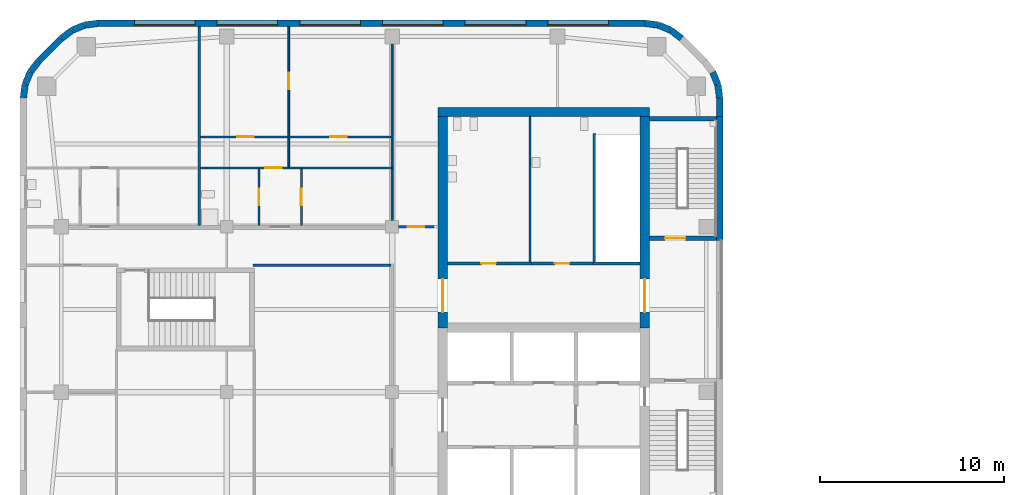
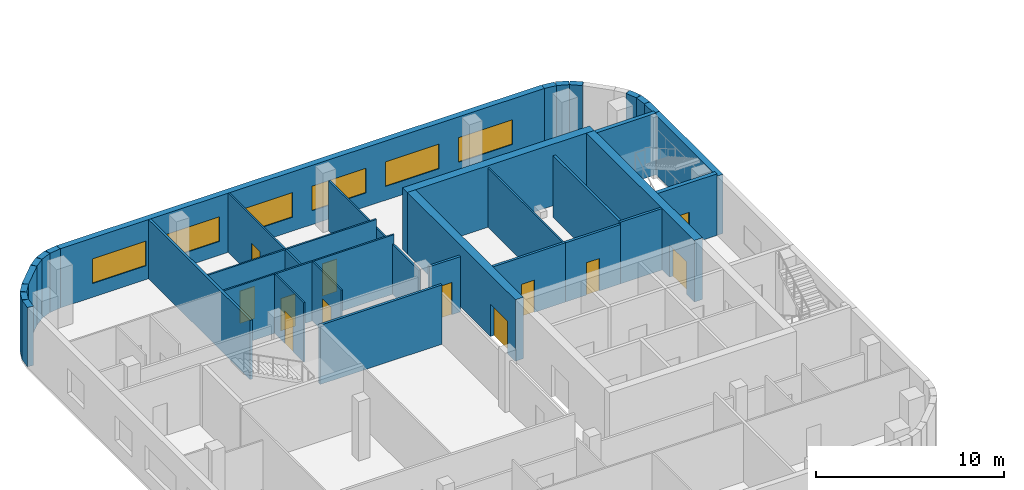
# One storey, part 7 of 16: 36 walls, 12 doors, 6 windows, 18 openings.
"""IFC4 building model written with IfcOpenShell, lengths in metres."""

from ifc_helpers import new_model, si_unit, direction, frame, frame_2d, origin, place, context, subcontext, project, spatial, rectangle, extrude, material, layer, layer_set, type_object, element, fill, save


model = new_model("IFC4")

# Units and contexts
model_context = context("Model", 3, precision=1e-05, world=origin(), true_north=direction((0.0, 1.0)))
body_context = subcontext(model_context, "Body", "Model", "MODEL_VIEW")
ifc_project = project(units=[si_unit("LENGTHUNIT", "METRE"), si_unit("AREAUNIT", "SQUARE_METRE"), si_unit("VOLUMEUNIT", "CUBIC_METRE"), si_unit("PLANEANGLEUNIT", "RADIAN"), si_unit("MASSUNIT", "GRAM", prefix="KILO")], contexts=[model_context])

# Site, building, storey
site_placement = place(None, origin())
site = spatial("IfcSite", under=ifc_project, at=site_placement, CompositionType="ELEMENT")
building_placement = place(site_placement, origin())
building = spatial("IfcBuilding", under=site, at=building_placement, Name="Cinnabar Reach Civic Tower", CompositionType="ELEMENT")
storey_placement = place(building_placement, frame((0.0, 0.0, 79.0)))
storey = spatial("IfcBuildingStorey", under=building, at=storey_placement, Name="L18", CompositionType="ELEMENT", Elevation=79.0)

# Walls
ifc_material_1 = material(Name="Facing brick with insulated backing", Category="masonry")
ifc_layer_1 = layer(ifc_material_1, 0.36)
ifc_layer_set_1 = layer_set([ifc_layer_1], Name="Brick corner wall")
wall_type_1 = type_object("IfcWallType", Name="Brick corner wall", PredefinedType="STANDARD", material=ifc_layer_set_1)
for number, where, z_axis, x_axis, name in (
    (1, (-27.183, 43.0186, 0.0), (0.0, 0.0, 1.0), (-0.13055608231, 0.99144092581, 0.0), "Brick corner wall"),
    (2, (-27.2819, 43.7473, 0.0), (0.0, 0.0, 1.0), (-0.382702709855, 0.923871547278, 0.0), "Brick corner wall"),
):
    element("IfcWall", number, at=place(storey_placement, frame(where, z_axis=z_axis, x_axis=x_axis)), inside=storey, type_object=wall_type_1, Name=name, PredefinedType="STANDARD", context=body_context, shape_type="SweptSolid", body=[
        extrude(rectangle(XDim=0.7131, YDim=0.36, at=frame_2d((0.3565, 0.0))), origin(), (0.0, 0.0, 1.0), 3.85),
    ])
wall_1_placement = place(storey_placement, frame((-29.2587, 46.2498, 0.0), z_axis=(0.0, 0.0, 1.0), x_axis=(-0.793321924995, 0.608802368033, 0.0)))
element("IfcWall", 3, at=wall_1_placement, inside=storey, type_object=wall_type_1, Name="Brick corner wall", PredefinedType="STANDARD", context=body_context, shape_type="SweptSolid", body=[
    extrude(rectangle(XDim=0.7132, YDim=0.36, at=frame_2d((0.3566, 0.0))), origin(), (0.0, 0.0, 1.0), 3.85),
])
for number, where, z_axis, x_axis, name in (
    (4, (-29.8439, 46.6952, 0.0), (0.0, 0.0, 1.0), (-0.923871547278, 0.382702709855, 0.0), "Brick corner wall"),
    (5, (-30.5244, 46.9739, 0.0), (0.0, 0.0, 1.0), (-0.99144092581, 0.13055608231, 0.0), "Brick corner wall"),
    (6, (-61.0186, 47.067, 0.0), (0.0, 0.0, 1.0), (-0.99144092581, -0.13055608231, 0.0), "Brick corner wall"),
    (7, (-61.7473, 46.9681, 0.0), (0.0, 0.0, 1.0), (-0.923871547278, -0.382702709855, 0.0), "Brick corner wall"),
):
    element("IfcWall", number, at=place(storey_placement, frame(where, z_axis=z_axis, x_axis=x_axis)), inside=storey, type_object=wall_type_1, Name=name, PredefinedType="STANDARD", context=body_context, shape_type="SweptSolid", body=[
        extrude(rectangle(XDim=0.7131, YDim=0.36, at=frame_2d((0.3565, 0.0))), origin(), (0.0, 0.0, 1.0), 3.85),
    ])
for number, where, z_axis, x_axis, name in (
    (8, (-62.4255, 46.684, 0.0), (0.0, 0.0, 1.0), (-0.793321924995, -0.608802368033, 0.0), "Brick corner wall"),
    (9, (-64.2498, 44.9913, 0.0), (0.0, 0.0, 1.0), (-0.608802368033, -0.793321924995, 0.0), "Brick corner wall"),
):
    element("IfcWall", number, at=place(storey_placement, frame(where, z_axis=z_axis, x_axis=x_axis)), inside=storey, type_object=wall_type_1, Name=name, PredefinedType="STANDARD", context=body_context, shape_type="SweptSolid", body=[
        extrude(rectangle(XDim=0.7132, YDim=0.36, at=frame_2d((0.3566, 0.0))), origin(), (0.0, 0.0, 1.0), 3.85),
    ])
for number, where, z_axis, x_axis, name in (
    (10, (-64.6952, 44.4061, 0.0), (0.0, 0.0, 1.0), (-0.382702709855, -0.923871547278, 0.0), "Brick corner wall"),
    (11, (-64.9739, 43.7256, 0.0), (0.0, 0.0, 1.0), (-0.13055608231, -0.99144092581, 0.0), "Brick corner wall"),
):
    element("IfcWall", number, at=place(storey_placement, frame(where, z_axis=z_axis, x_axis=x_axis)), inside=storey, type_object=wall_type_1, Name=name, PredefinedType="STANDARD", context=body_context, shape_type="SweptSolid", body=[
        extrude(rectangle(XDim=0.7131, YDim=0.36, at=frame_2d((0.3565, 0.0))), origin(), (0.0, 0.0, 1.0), 3.85),
    ])
ifc_layer_2 = layer(ifc_material_1, 0.36)
ifc_layer_set_2 = layer_set([ifc_layer_2], Name="Brick pier and spandrel wall")
wall_type_2 = type_object("IfcWallType", Name="Brick pier and spandrel wall", PredefinedType="STANDARD", material=ifc_layer_set_2)
wall_2_placement = place(storey_placement, frame((-27.18, 35.25, 0.0), z_axis=(0.0, 0.0, 1.0), x_axis=(0.0, 1.0, 0.0)))
element("IfcWall", 12, at=wall_2_placement, inside=storey, type_object=wall_type_2, Name="Brick facade wall", PredefinedType="STANDARD", context=body_context, shape_type="SweptSolid", body=[
    extrude(rectangle(XDim=6.75, YDim=0.36, at=frame_2d((3.375, 0.0))), origin(), (0.0, 0.0, 1.0), 3.85),
])
wall_3_placement = place(storey_placement, frame((-27.18, 42.0, 0.0), z_axis=(0.0, 0.0, 1.0), x_axis=(0.0, 1.0, 0.0)))
element("IfcWall", 13, at=wall_3_placement, inside=storey, type_object=wall_type_2, Name="Brick facade wall", PredefinedType="STANDARD", context=body_context, shape_type="SweptSolid", body=[
    extrude(rectangle(XDim=1.0074, YDim=0.36, at=frame_2d((0.5037, 0.0))), origin(), (0.0, 0.0, 1.0), 3.85),
])

# Wall, openings, windows
wall_4_placement = place(storey_placement, frame((-31.2426, 47.07, 0.0), z_axis=(0.0, 0.0, 1.0), x_axis=(-1.0, 0.0, 0.0)))
wall_4 = element("IfcWall", 14, at=wall_4_placement, inside=storey, type_object=wall_type_2, Name="Brick facade wall", PredefinedType="STANDARD", context=body_context, shape_type="SweptSolid", body=[
    extrude(rectangle(XDim=29.7648, YDim=0.36, at=frame_2d((14.8824, 0.0))), origin(), (0.0, 0.0, 1.0), 3.85),
])
opening_1_placement = place(wall_4_placement, frame((1.9824, 0.0, 0.9)))
opening_1 = element("IfcOpeningElement", 15, at=opening_1_placement, cuts=wall_4, Name="Opening W2592", PredefinedType="OPENING", context=body_context, shape_type="SweptSolid", body=[
    extrude(rectangle(XDim=3.3, YDim=1.6, at=frame_2d((1.65, 0.8))), frame((0.0, 0.19, 0.0), z_axis=(0.0, -1.0, 0.0), x_axis=(1.0, 0.0, 0.0)), (0.0, 0.0, 1.0), 0.38),
])
opening_2_placement = place(wall_4_placement, frame((6.4824, 0.0, 0.9)))
opening_2 = element("IfcOpeningElement", 16, at=opening_2_placement, cuts=wall_4, Name="Opening W2593", PredefinedType="OPENING", context=body_context, shape_type="SweptSolid", body=[
    extrude(rectangle(XDim=3.3, YDim=1.6, at=frame_2d((1.65, 0.8))), frame((0.0, 0.19, 0.0), z_axis=(0.0, -1.0, 0.0), x_axis=(1.0, 0.0, 0.0)), (0.0, 0.0, 1.0), 0.38),
])
opening_3_placement = place(wall_4_placement, frame((10.9824, 0.0, 0.9)))
opening_3 = element("IfcOpeningElement", 17, at=opening_3_placement, cuts=wall_4, Name="Opening W2594", PredefinedType="OPENING", context=body_context, shape_type="SweptSolid", body=[
    extrude(rectangle(XDim=3.3, YDim=1.6, at=frame_2d((1.65, 0.8))), frame((0.0, 0.19, 0.0), z_axis=(0.0, -1.0, 0.0), x_axis=(1.0, 0.0, 0.0)), (0.0, 0.0, 1.0), 0.38),
])
opening_4_placement = place(wall_4_placement, frame((15.4824, 0.0, 0.9)))
opening_4 = element("IfcOpeningElement", 18, at=opening_4_placement, cuts=wall_4, Name="Opening W2595", PredefinedType="OPENING", context=body_context, shape_type="SweptSolid", body=[
    extrude(rectangle(XDim=3.3, YDim=1.6, at=frame_2d((1.65, 0.8))), frame((0.0, 0.19, 0.0), z_axis=(0.0, -1.0, 0.0), x_axis=(1.0, 0.0, 0.0)), (0.0, 0.0, 1.0), 0.38),
])
opening_5_placement = place(wall_4_placement, frame((19.9824, 0.0, 0.9)))
opening_5 = element("IfcOpeningElement", 19, at=opening_5_placement, cuts=wall_4, Name="Opening W2596", PredefinedType="OPENING", context=body_context, shape_type="SweptSolid", body=[
    extrude(rectangle(XDim=3.3, YDim=1.6, at=frame_2d((1.65, 0.8))), frame((0.0, 0.19, 0.0), z_axis=(0.0, -1.0, 0.0), x_axis=(1.0, 0.0, 0.0)), (0.0, 0.0, 1.0), 0.38),
])
opening_6_placement = place(wall_4_placement, frame((24.4824, 0.0, 0.9)))
opening_6 = element("IfcOpeningElement", 20, at=opening_6_placement, cuts=wall_4, Name="Opening W2597", PredefinedType="OPENING", context=body_context, shape_type="SweptSolid", body=[
    extrude(rectangle(XDim=3.3, YDim=1.6, at=frame_2d((1.65, 0.8))), frame((0.0, 0.19, 0.0), z_axis=(0.0, -1.0, 0.0), x_axis=(1.0, 0.0, 0.0)), (0.0, 0.0, 1.0), 0.38),
])
ifc_material_2 = material(Name="Clear double glazing in aluminium frame", Category="aluminium")
window_type = type_object("IfcWindowType", Name="Deep-set window A", PartitioningType="SINGLE_PANEL", PredefinedType="WINDOW", material=ifc_material_2)
window_1_placement = place(opening_1_placement, origin())
window_1 = element("IfcWindow", 21, at=window_1_placement, inside=storey, type_object=window_type, Name="Window north face", OverallHeight=1.6, OverallWidth=3.3, PartitioningType="SINGLE_PANEL", PredefinedType="WINDOW", context=body_context, shape_type="SweptSolid", body=[
    extrude(rectangle(XDim=3.3, YDim=1.6, at=frame_2d((1.65, 0.8))), frame((0.0, 0.13, 0.0), z_axis=(0.0, -1.0, 0.0), x_axis=(1.0, 0.0, 0.0)), (0.0, 0.0, 1.0), 0.06),
])
fill(opening_1, window_1)
window_2_placement = place(opening_2_placement, origin())
window_2 = element("IfcWindow", 22, at=window_2_placement, inside=storey, type_object=window_type, Name="Window north face", OverallHeight=1.6, OverallWidth=3.3, PartitioningType="SINGLE_PANEL", PredefinedType="WINDOW", context=body_context, shape_type="SweptSolid", body=[
    extrude(rectangle(XDim=3.3, YDim=1.6, at=frame_2d((1.65, 0.8))), frame((0.0, 0.13, 0.0), z_axis=(0.0, -1.0, 0.0), x_axis=(1.0, 0.0, 0.0)), (0.0, 0.0, 1.0), 0.06),
])
fill(opening_2, window_2)
window_3_placement = place(opening_3_placement, origin())
window_3 = element("IfcWindow", 23, at=window_3_placement, inside=storey, type_object=window_type, Name="Window north face", OverallHeight=1.6, OverallWidth=3.3, PartitioningType="SINGLE_PANEL", PredefinedType="WINDOW", context=body_context, shape_type="SweptSolid", body=[
    extrude(rectangle(XDim=3.3, YDim=1.6, at=frame_2d((1.65, 0.8))), frame((0.0, 0.13, 0.0), z_axis=(0.0, -1.0, 0.0), x_axis=(1.0, 0.0, 0.0)), (0.0, 0.0, 1.0), 0.06),
])
fill(opening_3, window_3)
window_4_placement = place(opening_4_placement, origin())
window_4 = element("IfcWindow", 24, at=window_4_placement, inside=storey, type_object=window_type, Name="Window north face", OverallHeight=1.6, OverallWidth=3.3, PartitioningType="SINGLE_PANEL", PredefinedType="WINDOW", context=body_context, shape_type="SweptSolid", body=[
    extrude(rectangle(XDim=3.3, YDim=1.6, at=frame_2d((1.65, 0.8))), frame((0.0, 0.13, 0.0), z_axis=(0.0, -1.0, 0.0), x_axis=(1.0, 0.0, 0.0)), (0.0, 0.0, 1.0), 0.06),
])
fill(opening_4, window_4)
window_5_placement = place(opening_5_placement, origin())
window_5 = element("IfcWindow", 25, at=window_5_placement, inside=storey, type_object=window_type, Name="Window north face", OverallHeight=1.6, OverallWidth=3.3, PartitioningType="SINGLE_PANEL", PredefinedType="WINDOW", context=body_context, shape_type="SweptSolid", body=[
    extrude(rectangle(XDim=3.3, YDim=1.6, at=frame_2d((1.65, 0.8))), frame((0.0, 0.13, 0.0), z_axis=(0.0, -1.0, 0.0), x_axis=(1.0, 0.0, 0.0)), (0.0, 0.0, 1.0), 0.06),
])
fill(opening_5, window_5)
window_6_placement = place(opening_6_placement, origin())
window_6 = element("IfcWindow", 26, at=window_6_placement, inside=storey, type_object=window_type, Name="Window north face", OverallHeight=1.6, OverallWidth=3.3, PartitioningType="SINGLE_PANEL", PredefinedType="WINDOW", context=body_context, shape_type="SweptSolid", body=[
    extrude(rectangle(XDim=3.3, YDim=1.6, at=frame_2d((1.65, 0.8))), frame((0.0, 0.13, 0.0), z_axis=(0.0, -1.0, 0.0), x_axis=(1.0, 0.0, 0.0)), (0.0, 0.0, 1.0), 0.06),
])
fill(opening_6, window_6)

# Walls
wall_5_placement = place(storey_placement, frame((-63.0014, 46.244, 0.0), z_axis=(0.0, 0.0, 1.0), x_axis=(-0.707106781187, -0.707106781187, 0.0)))
element("IfcWall", 27, at=wall_5_placement, inside=storey, type_object=wall_type_2, Name="Brick facade wall", PredefinedType="STANDARD", context=body_context, shape_type="SweptSolid", body=[
    extrude(rectangle(XDim=1.7573, YDim=0.36, at=frame_2d((0.8787, 0.0))), origin(), (0.0, 0.0, 1.0), 3.85),
])
ifc_material_3 = material(Name="Concrete C60", Category="concrete")
ifc_layer_3 = layer(ifc_material_3, 0.5)
ifc_layer_set_3 = layer_set([ifc_layer_3], Name="Core wall 500 EI 180")
wall_type_3 = type_object("IfcWallType", Name="Core wall 500 EI 180", PredefinedType="SOLIDWALL", material=ifc_layer_set_3)
wall_6_placement = place(storey_placement, frame((-31.0, 42.25, 0.0), z_axis=(0.0, 0.0, 1.0), x_axis=(-1.0, 0.0, 0.0)))
element("IfcWall", 28, at=wall_6_placement, inside=storey, type_object=wall_type_3, Name="Core wall T2 L18 N", PredefinedType="SOLIDWALL", context=body_context, shape_type="SweptSolid", body=[
    extrude(rectangle(XDim=11.5, YDim=0.5, at=frame_2d((5.75, 0.0))), origin(), (0.0, 0.0, 1.0), 4.0),
])

# Wall, opening, door
wall_7_placement = place(storey_placement, frame((-31.25, 30.5, 0.0), z_axis=(0.0, 0.0, 1.0), x_axis=(0.0, 1.0, 0.0)))
wall_7 = element("IfcWall", 29, at=wall_7_placement, inside=storey, type_object=wall_type_3, Name="Core wall T2 L18 E2", PredefinedType="SOLIDWALL", context=body_context, shape_type="SweptSolid", body=[
    extrude(rectangle(XDim=11.5, YDim=0.5, at=frame_2d((5.75, 0.0))), origin(), (0.0, 0.0, 1.0), 4.0),
])
opening_7_placement = place(wall_7_placement, frame((0.85, 0.0, 0.0)))
opening_7 = element("IfcOpeningElement", 30, at=opening_7_placement, cuts=wall_7, Name="Opening D6675", PredefinedType="OPENING", context=body_context, shape_type="SweptSolid", body=[
    extrude(rectangle(XDim=1.8, YDim=2.1, at=frame_2d((0.9, 1.05))), frame((0.0, 0.26, 0.0), z_axis=(0.0, -1.0, 0.0), x_axis=(1.0, 0.0, 0.0)), (0.0, 0.0, 1.0), 0.52),
])
ifc_material_4 = material(Name="Steel fire door", Category="steel")
door_type_1 = type_object("IfcDoorType", Name="T2 Double door 1800", OperationType="DOUBLE_DOOR_SINGLE_SWING", PredefinedType="DOOR", material=ifc_material_4)
door_1_placement = place(opening_7_placement, origin())
door_1 = element("IfcDoor", 31, at=door_1_placement, inside=storey, type_object=door_type_1, Name="T2 Double door D6675", OperationType="DOUBLE_DOOR_SINGLE_SWING", OverallHeight=2.1, OverallWidth=1.8, PredefinedType="DOOR", context=body_context, shape_type="SweptSolid", body=[
    extrude(rectangle(XDim=1.8, YDim=2.1, at=frame_2d((0.9, 1.05))), frame((0.0, 0.025, 0.0), z_axis=(0.0, -1.0, 0.0), x_axis=(1.0, 0.0, 0.0)), (0.0, 0.0, 1.0), 0.05),
])
fill(opening_7, door_1)

wall_8_placement = place(storey_placement, frame((-42.25, 42.0, 0.0), z_axis=(0.0, 0.0, 1.0), x_axis=(0.0, -1.0, 0.0)))
wall_8 = element("IfcWall", 32, at=wall_8_placement, inside=storey, type_object=wall_type_3, Name="Core wall T2 L18 W", PredefinedType="SOLIDWALL", context=body_context, shape_type="SweptSolid", body=[
    extrude(rectangle(XDim=11.5, YDim=0.5, at=frame_2d((5.75, 0.0))), origin(), (0.0, 0.0, 1.0), 4.0),
])
opening_8_placement = place(wall_8_placement, frame((8.85, 0.0, 0.0)))
opening_8 = element("IfcOpeningElement", 33, at=opening_8_placement, cuts=wall_8, Name="Opening D6677", PredefinedType="OPENING", context=body_context, shape_type="SweptSolid", body=[
    extrude(rectangle(XDim=1.8, YDim=2.1, at=frame_2d((0.9, 1.05))), frame((0.0, 0.26, 0.0), z_axis=(0.0, -1.0, 0.0), x_axis=(1.0, 0.0, 0.0)), (0.0, 0.0, 1.0), 0.52),
])
door_2_placement = place(opening_8_placement, frame((1.8, 0.0, 0.0), z_axis=(0.0, 0.0, 1.0), x_axis=(-1.0, 0.0, 0.0)))
door_2 = element("IfcDoor", 34, at=door_2_placement, inside=storey, type_object=door_type_1, Name="T2 Double door D6677", OperationType="DOUBLE_DOOR_SINGLE_SWING", OverallHeight=2.1, OverallWidth=1.8, PredefinedType="DOOR", context=body_context, shape_type="SweptSolid", body=[
    extrude(rectangle(XDim=1.8, YDim=2.1, at=frame_2d((0.9, 1.05))), frame((0.0, 0.025, 0.0), z_axis=(0.0, -1.0, 0.0), x_axis=(1.0, 0.0, 0.0)), (0.0, 0.0, 1.0), 0.05),
])
fill(opening_8, door_2)

ifc_material_5 = material(Name="Gypsum board on steel studs, double layer", Category="steel")
ifc_layer_4 = layer(ifc_material_5, 0.15)
ifc_layer_set_4 = layer_set([ifc_layer_4], Name="Corridor wall 150 T2")
wall_type_4 = type_object("IfcWallType", Name="Corridor wall 150 T2", PredefinedType="PARTITIONING", material=ifc_layer_set_4)
wall_9_placement = place(storey_placement, frame((-44.65, 36.0, 0.0), z_axis=(0.0, 0.0, 1.0), x_axis=(1.0, 0.0, 0.0)))
wall_9 = element("IfcWall", 35, at=wall_9_placement, inside=storey, type_object=wall_type_4, Name="Corridor wall 5", PredefinedType="PARTITIONING", context=body_context, shape_type="SweptSolid", body=[
    extrude(rectangle(XDim=1.925, YDim=0.15, at=frame_2d((0.9625, 0.0))), origin(), (0.0, 0.0, 1.0), 3.602),
])
opening_9_placement = place(wall_9_placement, frame((0.5, 0.0, 0.0)))
opening_9 = element("IfcOpeningElement", 36, at=opening_9_placement, cuts=wall_9, Name="Opening D6680", PredefinedType="OPENING", context=body_context, shape_type="SweptSolid", body=[
    extrude(rectangle(XDim=0.9, YDim=2.1, at=frame_2d((0.45, 1.05))), frame((0.0, 0.085, 0.0), z_axis=(0.0, -1.0, 0.0), x_axis=(1.0, 0.0, 0.0)), (0.0, 0.0, 1.0), 0.17),
])
ifc_material_6 = material(Name="Timber door leaf in steel frame", Category="steel")
door_type_2 = type_object("IfcDoorType", Name="Single swing door 900 x 2100 T2", OperationType="SINGLE_SWING_LEFT", PredefinedType="DOOR", material=ifc_material_6)
door_3_placement = place(opening_9_placement, origin())
door_3 = element("IfcDoor", 37, at=door_3_placement, inside=storey, type_object=door_type_2, Name="Door D6680", OperationType="SINGLE_SWING_LEFT", OverallHeight=2.1, OverallWidth=0.9, PredefinedType="DOOR", context=body_context, shape_type="SweptSolid", body=[
    extrude(rectangle(XDim=0.9, YDim=2.1, at=frame_2d((0.45, 1.05))), frame((0.0, 0.025, 0.0), z_axis=(0.0, -1.0, 0.0), x_axis=(1.0, 0.0, 0.0)), (0.0, 0.0, 1.0), 0.05),
])
fill(opening_9, door_3)

# Wall
wall_10_placement = place(storey_placement, frame((-52.575, 33.9, 0.0), z_axis=(0.0, 0.0, 1.0), x_axis=(1.0, 0.0, 0.0)))
element("IfcWall", 38, at=wall_10_placement, inside=storey, type_object=wall_type_4, Name="Corridor wall 12", PredefinedType="PARTITIONING", context=body_context, shape_type="SweptSolid", body=[
    extrude(rectangle(XDim=7.5, YDim=0.15, at=frame_2d((3.75, 0.0))), origin(), (0.0, 0.0, 1.0), 3.85),
])

# Wall, opening, door
ifc_material_7 = material(Name="Gypsum board on steel studs", Category="steel")
ifc_layer_5 = layer(ifc_material_7, 0.1)
ifc_layer_set_5 = layer_set([ifc_layer_5], Name="Partition wall 100 T2")
wall_type_5 = type_object("IfcWallType", Name="Partition wall 100 T2", PredefinedType="PARTITIONING", material=ifc_layer_set_5)
wall_11_placement = place(storey_placement, frame((-55.425, 39.2, 0.0), z_axis=(0.0, 0.0, 1.0), x_axis=(1.0, 0.0, 0.0)))
wall_11 = element("IfcWall", 39, at=wall_11_placement, inside=storey, type_object=wall_type_5, Name="Partition wall 18", PredefinedType="PARTITIONING", context=body_context, shape_type="SweptSolid", body=[
    extrude(rectangle(XDim=10.475, YDim=0.1, at=frame_2d((5.2375, 0.0))), origin(), (0.0, 0.0, 1.0), 3.85),
])
opening_10_placement = place(wall_11_placement, frame((3.53, 0.0, 0.0)))
opening_10 = element("IfcOpeningElement", 40, at=opening_10_placement, cuts=wall_11, Name="Opening D6697", PredefinedType="OPENING", context=body_context, shape_type="SweptSolid", body=[
    extrude(rectangle(XDim=0.9, YDim=2.1, at=frame_2d((0.45, 1.05))), frame((0.0, 0.06, 0.0), z_axis=(0.0, -1.0, 0.0), x_axis=(1.0, 0.0, 0.0)), (0.0, 0.0, 1.0), 0.12),
])
door_4_placement = place(opening_10_placement, frame((0.9, 0.0, 0.0), z_axis=(0.0, 0.0, 1.0), x_axis=(-1.0, 0.0, 0.0)))
door_4 = element("IfcDoor", 41, at=door_4_placement, inside=storey, type_object=door_type_2, Name="Door D6697", OperationType="SINGLE_SWING_RIGHT", OverallHeight=2.1, OverallWidth=0.9, PredefinedType="DOOR", context=body_context, shape_type="SweptSolid", body=[
    extrude(rectangle(XDim=0.9, YDim=2.1, at=frame_2d((0.45, 1.05))), frame((0.0, 0.025, 0.0), z_axis=(0.0, -1.0, 0.0), x_axis=(1.0, 0.0, 0.0)), (0.0, 0.0, 1.0), 0.05),
])
fill(opening_10, door_4)

# Walls
wall_12_placement = place(storey_placement, frame((-45.0, 39.25, 0.0), z_axis=(0.0, 0.0, 1.0), x_axis=(0.0, 1.0, 0.0)))
element("IfcWall", 42, at=wall_12_placement, inside=storey, type_object=wall_type_5, Name="Partition wall 20", PredefinedType="PARTITIONING", context=body_context, shape_type="SweptSolid", body=[
    extrude(rectangle(XDim=6.7, YDim=0.1, at=frame_2d((3.35, 0.0))), origin(), (0.0, 0.0, 1.0), 3.256),
])
wall_13_placement = place(storey_placement, frame((-45.0, 36.35, 0.0), z_axis=(0.0, 0.0, 1.0), x_axis=(0.0, 1.0, 0.0)))
element("IfcWall", 43, at=wall_13_placement, inside=storey, type_object=wall_type_5, Name="Partition wall 21", PredefinedType="PARTITIONING", context=body_context, shape_type="SweptSolid", body=[
    extrude(rectangle(XDim=2.8, YDim=0.1, at=frame_2d((1.4, 0.0))), origin(), (0.0, 0.0, 1.0), 3.256),
])

# Wall, openings, doors
wall_14_placement = place(storey_placement, frame((-55.425, 40.8865, 0.0), z_axis=(0.0, 0.0, 1.0), x_axis=(1.0, 0.0, 0.0)))
wall_14 = element("IfcWall", 44, at=wall_14_placement, inside=storey, type_object=wall_type_5, Name="Partition wall 22", PredefinedType="PARTITIONING", context=body_context, shape_type="SweptSolid", body=[
    extrude(rectangle(XDim=10.375, YDim=0.1, at=frame_2d((5.1875, 0.0))), origin(), (0.0, 0.0, 1.0), 3.85),
])
opening_11_placement = place(wall_14_placement, frame((2.0, 0.0, 0.0)))
opening_11 = element("IfcOpeningElement", 45, at=opening_11_placement, cuts=wall_14, Name="Opening D6699", PredefinedType="OPENING", context=body_context, shape_type="SweptSolid", body=[
    extrude(rectangle(XDim=0.9, YDim=2.1, at=frame_2d((0.45, 1.05))), frame((0.0, 0.06, 0.0), z_axis=(0.0, -1.0, 0.0), x_axis=(1.0, 0.0, 0.0)), (0.0, 0.0, 1.0), 0.12),
])
opening_12_placement = place(wall_14_placement, frame((7.045, 0.0, 0.0)))
opening_12 = element("IfcOpeningElement", 46, at=opening_12_placement, cuts=wall_14, Name="Opening D6700", PredefinedType="OPENING", context=body_context, shape_type="SweptSolid", body=[
    extrude(rectangle(XDim=0.9, YDim=2.1, at=frame_2d((0.45, 1.05))), frame((0.0, 0.06, 0.0), z_axis=(0.0, -1.0, 0.0), x_axis=(1.0, 0.0, 0.0)), (0.0, 0.0, 1.0), 0.12),
])
door_5_placement = place(opening_11_placement, frame((0.9, 0.0, 0.0), z_axis=(0.0, 0.0, 1.0), x_axis=(-1.0, 0.0, 0.0)))
door_5 = element("IfcDoor", 47, at=door_5_placement, inside=storey, type_object=door_type_2, Name="Door D6699", OperationType="SINGLE_SWING_LEFT", OverallHeight=2.1, OverallWidth=0.9, PredefinedType="DOOR", context=body_context, shape_type="SweptSolid", body=[
    extrude(rectangle(XDim=0.9, YDim=2.1, at=frame_2d((0.45, 1.05))), frame((0.0, 0.025, 0.0), z_axis=(0.0, -1.0, 0.0), x_axis=(1.0, 0.0, 0.0)), (0.0, 0.0, 1.0), 0.05),
])
fill(opening_11, door_5)
door_6_placement = place(opening_12_placement, origin())
door_6 = element("IfcDoor", 48, at=door_6_placement, inside=storey, type_object=door_type_2, Name="Door D6700", OperationType="SINGLE_SWING_LEFT", OverallHeight=2.1, OverallWidth=0.9, PredefinedType="DOOR", context=body_context, shape_type="SweptSolid", body=[
    extrude(rectangle(XDim=0.9, YDim=2.1, at=frame_2d((0.45, 1.05))), frame((0.0, 0.025, 0.0), z_axis=(0.0, -1.0, 0.0), x_axis=(1.0, 0.0, 0.0)), (0.0, 0.0, 1.0), 0.05),
])
fill(opening_12, door_6)

# Wall
wall_15_placement = place(storey_placement, frame((-50.63, 39.25, 0.0), z_axis=(0.0, 0.0, 1.0), x_axis=(0.0, 1.0, 0.0)))
element("IfcWall", 49, at=wall_15_placement, inside=storey, type_object=wall_type_5, Name="Partition wall 28", PredefinedType="PARTITIONING", context=body_context, shape_type="SweptSolid", body=[
    extrude(rectangle(XDim=1.5865, YDim=0.1, at=frame_2d((0.7933, 0.0))), origin(), (0.0, 0.0, 1.0), 3.85),
])

# Wall, opening, door
wall_16_placement = place(storey_placement, frame((-50.63, 40.9365, 0.0), z_axis=(0.0, 0.0, 1.0), x_axis=(0.0, 1.0, 0.0)))
wall_16 = element("IfcWall", 50, at=wall_16_placement, inside=storey, type_object=wall_type_5, Name="Partition wall 29", PredefinedType="PARTITIONING", context=body_context, shape_type="SweptSolid", body=[
    extrude(rectangle(XDim=5.9535, YDim=0.1, at=frame_2d((2.9768, 0.0))), origin(), (0.0, 0.0, 1.0), 3.85),
])
opening_13_placement = place(wall_16_placement, frame((2.55, 0.0, 0.0)))
opening_13 = element("IfcOpeningElement", 51, at=opening_13_placement, cuts=wall_16, Name="Opening D6698", PredefinedType="OPENING", context=body_context, shape_type="SweptSolid", body=[
    extrude(rectangle(XDim=0.9, YDim=2.1, at=frame_2d((0.45, 1.05))), frame((0.0, 0.06, 0.0), z_axis=(0.0, -1.0, 0.0), x_axis=(1.0, 0.0, 0.0)), (0.0, 0.0, 1.0), 0.12),
])
door_7_placement = place(opening_13_placement, frame((0.9, 0.0, 0.0), z_axis=(0.0, 0.0, 1.0), x_axis=(-1.0, 0.0, 0.0)))
door_7 = element("IfcDoor", 52, at=door_7_placement, inside=storey, type_object=door_type_2, Name="Door D6698", OperationType="SINGLE_SWING_RIGHT", OverallHeight=2.1, OverallWidth=0.9, PredefinedType="DOOR", context=body_context, shape_type="SweptSolid", body=[
    extrude(rectangle(XDim=0.9, YDim=2.1, at=frame_2d((0.45, 1.05))), frame((0.0, 0.025, 0.0), z_axis=(0.0, -1.0, 0.0), x_axis=(1.0, 0.0, 0.0)), (0.0, 0.0, 1.0), 0.05),
])
fill(opening_13, door_7)

wall_17_placement = place(storey_placement, frame((-52.245, 36.075, 0.0), z_axis=(0.0, 0.0, 1.0), x_axis=(0.0, 1.0, 0.0)))
wall_17 = element("IfcWall", 53, at=wall_17_placement, inside=storey, type_object=wall_type_5, Name="Partition wall 35", PredefinedType="PARTITIONING", context=body_context, shape_type="SweptSolid", body=[
    extrude(rectangle(XDim=3.075, YDim=0.1, at=frame_2d((1.5375, 0.0))), origin(), (0.0, 0.0, 1.0), 3.85),
])
opening_14_placement = place(wall_17_placement, frame((1.1, 0.0, 0.0)))
opening_14 = element("IfcOpeningElement", 54, at=opening_14_placement, cuts=wall_17, Name="Opening D6695", PredefinedType="OPENING", context=body_context, shape_type="SweptSolid", body=[
    extrude(rectangle(XDim=0.9, YDim=2.1, at=frame_2d((0.45, 1.05))), frame((0.0, 0.06, 0.0), z_axis=(0.0, -1.0, 0.0), x_axis=(1.0, 0.0, 0.0)), (0.0, 0.0, 1.0), 0.12),
])
door_8_placement = place(opening_14_placement, origin())
door_8 = element("IfcDoor", 55, at=door_8_placement, inside=storey, type_object=door_type_2, Name="Door D6695", OperationType="SINGLE_SWING_LEFT", OverallHeight=2.1, OverallWidth=0.9, PredefinedType="DOOR", context=body_context, shape_type="SweptSolid", body=[
    extrude(rectangle(XDim=0.9, YDim=2.1, at=frame_2d((0.45, 1.05))), frame((0.0, 0.025, 0.0), z_axis=(0.0, -1.0, 0.0), x_axis=(1.0, 0.0, 0.0)), (0.0, 0.0, 1.0), 0.05),
])
fill(opening_14, door_8)

wall_18_placement = place(storey_placement, frame((-49.935, 36.075, 0.0), z_axis=(0.0, 0.0, 1.0), x_axis=(0.0, 1.0, 0.0)))
wall_18 = element("IfcWall", 56, at=wall_18_placement, inside=storey, type_object=wall_type_5, Name="Partition wall 36", PredefinedType="PARTITIONING", context=body_context, shape_type="SweptSolid", body=[
    extrude(rectangle(XDim=3.075, YDim=0.1, at=frame_2d((1.5375, 0.0))), origin(), (0.0, 0.0, 1.0), 3.85),
])
opening_15_placement = place(wall_18_placement, frame((1.1, 0.0, 0.0)))
opening_15 = element("IfcOpeningElement", 57, at=opening_15_placement, cuts=wall_18, Name="Opening D6696", PredefinedType="OPENING", context=body_context, shape_type="SweptSolid", body=[
    extrude(rectangle(XDim=0.9, YDim=2.1, at=frame_2d((0.45, 1.05))), frame((0.0, 0.06, 0.0), z_axis=(0.0, -1.0, 0.0), x_axis=(1.0, 0.0, 0.0)), (0.0, 0.0, 1.0), 0.12),
])
door_9_placement = place(opening_15_placement, origin())
door_9 = element("IfcDoor", 58, at=door_9_placement, inside=storey, type_object=door_type_2, Name="Door D6696", OperationType="SINGLE_SWING_LEFT", OverallHeight=2.1, OverallWidth=0.9, PredefinedType="DOOR", context=body_context, shape_type="SweptSolid", body=[
    extrude(rectangle(XDim=0.9, YDim=2.1, at=frame_2d((0.45, 1.05))), frame((0.0, 0.025, 0.0), z_axis=(0.0, -1.0, 0.0), x_axis=(1.0, 0.0, 0.0)), (0.0, 0.0, 1.0), 0.05),
])
fill(opening_15, door_9)

ifc_layer_6 = layer(ifc_material_3, 0.25)
ifc_layer_set_6 = layer_set([ifc_layer_6], Name="Stair shaft wall 250 EI 120")
wall_type_6 = type_object("IfcWallType", Name="Stair shaft wall 250 EI 120", PredefinedType="SOLIDWALL", material=ifc_layer_set_6)
wall_19_placement = place(storey_placement, frame((-31.0, 35.375, 0.0), z_axis=(0.0, 0.0, 1.0), x_axis=(1.0, 0.0, 0.0)))
wall_19 = element("IfcWall", 59, at=wall_19_placement, inside=storey, type_object=wall_type_6, Name="Stair shaft wall T2-S2 L18", PredefinedType="SOLIDWALL", context=body_context, shape_type="SweptSolid", body=[
    extrude(rectangle(XDim=3.64, YDim=0.25, at=frame_2d((1.82, 0.0))), origin(), (0.0, 0.0, 1.0), 4.0),
])
opening_16_placement = place(wall_19_placement, frame((0.85, 0.0, 0.0)))
opening_16 = element("IfcOpeningElement", 60, at=opening_16_placement, cuts=wall_19, Name="Opening D6674", PredefinedType="OPENING", context=body_context, shape_type="SweptSolid", body=[
    extrude(rectangle(XDim=1.1, YDim=2.1, at=frame_2d((0.55, 1.05))), frame((0.0, 0.135, 0.0), z_axis=(0.0, -1.0, 0.0), x_axis=(1.0, 0.0, 0.0)), (0.0, 0.0, 1.0), 0.27),
])
door_type_3 = type_object("IfcDoorType", Name="T2 Stair door 1100", OperationType="SINGLE_SWING_LEFT", PredefinedType="DOOR", material=ifc_material_4)
door_10_placement = place(opening_16_placement, origin())
door_10 = element("IfcDoor", 61, at=door_10_placement, inside=storey, type_object=door_type_3, Name="T2 Stair door D6674", OperationType="SINGLE_SWING_LEFT", OverallHeight=2.1, OverallWidth=1.1, PredefinedType="DOOR", context=body_context, shape_type="SweptSolid", body=[
    extrude(rectangle(XDim=1.1, YDim=2.1, at=frame_2d((0.55, 1.05))), frame((0.0, 0.025, 0.0), z_axis=(0.0, -1.0, 0.0), x_axis=(1.0, 0.0, 0.0)), (0.0, 0.0, 1.0), 0.05),
])
fill(opening_16, door_10)

# Wall
wall_20_placement = place(storey_placement, frame((-27.36, 41.875, 0.0), z_axis=(0.0, 0.0, 1.0), x_axis=(-1.0, 0.0, 0.0)))
element("IfcWall", 62, at=wall_20_placement, inside=storey, type_object=wall_type_6, Name="Stair shaft wall T2-S2 L18", PredefinedType="SOLIDWALL", context=body_context, shape_type="SweptSolid", body=[
    extrude(rectangle(XDim=3.64, YDim=0.25, at=frame_2d((1.82, 0.0))), origin(), (0.0, 0.0, 1.0), 4.0),
])

# Wall, opening, door
ifc_material_8 = material(Name="Masonry block partition", Category="masonry")
ifc_layer_7 = layer(ifc_material_8, 0.15)
ifc_layer_set_7 = layer_set([ifc_layer_7], Name="T2 Corridor wall 150")
wall_type_7 = type_object("IfcWallType", Name="T2 Corridor wall 150", PredefinedType="PARTITIONING", material=ifc_layer_set_7)
wall_21_placement = place(storey_placement, frame((-37.425, 34.0, 0.0), z_axis=(0.0, 0.0, 1.0), x_axis=(-1.0, 0.0, 0.0)))
wall_21 = element("IfcWall", 63, at=wall_21_placement, inside=storey, type_object=wall_type_7, Name="T2 Corridor wall L18 014", PredefinedType="PARTITIONING", context=body_context, shape_type="SweptSolid", body=[
    extrude(rectangle(XDim=4.575, YDim=0.15, at=frame_2d((2.2875, 0.0))), origin(), (0.0, 0.0, 1.0), 3.85),
])
opening_17_placement = place(wall_21_placement, frame((1.925, 0.0, 0.0)))
opening_17 = element("IfcOpeningElement", 64, at=opening_17_placement, cuts=wall_21, Name="Opening D6678", PredefinedType="OPENING", context=body_context, shape_type="SweptSolid", body=[
    extrude(rectangle(XDim=0.8, YDim=2.1, at=frame_2d((0.4, 1.05))), frame((0.0, 0.085, 0.0), z_axis=(0.0, -1.0, 0.0), x_axis=(1.0, 0.0, 0.0)), (0.0, 0.0, 1.0), 0.17),
])
ifc_material_9 = material(Name="Timber door leaf", Category="wood")
door_type_4 = type_object("IfcDoorType", Name="T2 Bathroom door 800", OperationType="SINGLE_SWING_LEFT", PredefinedType="DOOR", material=ifc_material_9)
door_11_placement = place(opening_17_placement, frame((0.8, 0.0, 0.0), z_axis=(0.0, 0.0, 1.0), x_axis=(-1.0, 0.0, 0.0)))
door_11 = element("IfcDoor", 65, at=door_11_placement, inside=storey, type_object=door_type_4, Name="T2 Bathroom door D6678", OperationType="SINGLE_SWING_RIGHT", OverallHeight=2.1, OverallWidth=0.8, PredefinedType="DOOR", context=body_context, shape_type="SweptSolid", body=[
    extrude(rectangle(XDim=0.8, YDim=2.1, at=frame_2d((0.4, 1.05))), frame((0.0, 0.025, 0.0), z_axis=(0.0, -1.0, 0.0), x_axis=(1.0, 0.0, 0.0)), (0.0, 0.0, 1.0), 0.05),
])
fill(opening_17, door_11)

wall_22_placement = place(storey_placement, frame((-34.075, 34.0, 0.0), z_axis=(0.0, 0.0, 1.0), x_axis=(-1.0, 0.0, 0.0)))
wall_22 = element("IfcWall", 66, at=wall_22_placement, inside=storey, type_object=wall_type_7, Name="T2 Corridor wall L18 015", PredefinedType="PARTITIONING", context=body_context, shape_type="SweptSolid", body=[
    extrude(rectangle(XDim=3.35, YDim=0.15, at=frame_2d((1.675, 0.0))), origin(), (0.0, 0.0, 1.0), 3.85),
])
opening_18_placement = place(wall_22_placement, frame((1.275, 0.0, 0.0)))
opening_18 = element("IfcOpeningElement", 67, at=opening_18_placement, cuts=wall_22, Name="Opening D6679", PredefinedType="OPENING", context=body_context, shape_type="SweptSolid", body=[
    extrude(rectangle(XDim=0.8, YDim=2.1, at=frame_2d((0.4, 1.05))), frame((0.0, 0.085, 0.0), z_axis=(0.0, -1.0, 0.0), x_axis=(1.0, 0.0, 0.0)), (0.0, 0.0, 1.0), 0.17),
])
door_12_placement = place(opening_18_placement, frame((0.8, 0.0, 0.0), z_axis=(0.0, 0.0, 1.0), x_axis=(-1.0, 0.0, 0.0)))
door_12 = element("IfcDoor", 68, at=door_12_placement, inside=storey, type_object=door_type_4, Name="T2 Bathroom door D6679", OperationType="SINGLE_SWING_RIGHT", OverallHeight=2.1, OverallWidth=0.8, PredefinedType="DOOR", context=body_context, shape_type="SweptSolid", body=[
    extrude(rectangle(XDim=0.8, YDim=2.1, at=frame_2d((0.4, 1.05))), frame((0.0, 0.025, 0.0), z_axis=(0.0, -1.0, 0.0), x_axis=(1.0, 0.0, 0.0)), (0.0, 0.0, 1.0), 0.05),
])
fill(opening_18, door_12)

# Walls
ifc_material_10 = material(Name="Gypsum board partition")
ifc_layer_8 = layer(ifc_material_10, 0.1)
ifc_layer_set_8 = layer_set([ifc_layer_8], Name="T2 Internal partition 100")
wall_type_8 = type_object("IfcWallType", Name="T2 Internal partition 100", PredefinedType="PARTITIONING", material=ifc_layer_set_8)
wall_23_placement = place(storey_placement, frame((-37.5, 34.075, 0.0), z_axis=(0.0, 0.0, 1.0), x_axis=(0.0, 1.0, 0.0)))
element("IfcWall", 69, at=wall_23_placement, inside=storey, type_object=wall_type_8, Name="T2 Internal partition L18 016", PredefinedType="PARTITIONING", context=body_context, shape_type="SweptSolid", body=[
    extrude(rectangle(XDim=7.925, YDim=0.1, at=frame_2d((3.9625, 0.0))), origin(), (0.0, 0.0, 1.0), 3.85),
])
ifc_material_11 = material(Name="Concrete C40", Category="concrete")
ifc_layer_9 = layer(ifc_material_11, 0.15)
ifc_layer_set_9 = layer_set([ifc_layer_9], Name="T2 Riser wall 150")
wall_type_9 = type_object("IfcWallType", Name="T2 Riser wall 150", PredefinedType="SOLIDWALL", material=ifc_layer_set_9)
wall_24_placement = place(storey_placement, frame((-34.075, 34.0, 0.0), z_axis=(0.0, 0.0, 1.0), x_axis=(1.0, 0.0, 0.0)))
element("IfcWall", 70, at=wall_24_placement, inside=storey, type_object=wall_type_9, Name="T2 Riser wall L18 012", PredefinedType="SOLIDWALL", context=body_context, shape_type="SweptSolid", body=[
    extrude(rectangle(XDim=2.575, YDim=0.15, at=frame_2d((1.2875, 0.0))), origin(), (0.0, 0.0, 1.0), 4.0),
])
wall_25_placement = place(storey_placement, frame((-34.0, 41.075, 0.0), z_axis=(0.0, 0.0, 1.0), x_axis=(0.0, -1.0, 0.0)))
element("IfcWall", 71, at=wall_25_placement, inside=storey, type_object=wall_type_9, Name="T2 Riser wall L18 013", PredefinedType="SOLIDWALL", context=body_context, shape_type="SweptSolid", body=[
    extrude(rectangle(XDim=7.0, YDim=0.15, at=frame_2d((3.5, 0.0))), origin(), (0.0, 0.0, 1.0), 4.0),
])
ifc_layer_10 = layer(ifc_material_5, 0.15)
ifc_layer_set_10 = layer_set([ifc_layer_10], Name="Tenancy separating wall 150 T2")
wall_type_10 = type_object("IfcWallType", Name="Tenancy separating wall 150 T2", PredefinedType="PARTITIONING", material=ifc_layer_set_10)
wall_26_placement = place(storey_placement, frame((-55.5, 36.075, 0.0), z_axis=(0.0, 0.0, 1.0), x_axis=(0.0, 1.0, 0.0)))
element("IfcWall", 72, at=wall_26_placement, inside=storey, type_object=wall_type_10, Name="Tenancy separating wall 14", PredefinedType="PARTITIONING", context=body_context, shape_type="SweptSolid", body=[
    extrude(rectangle(XDim=10.815, YDim=0.15, at=frame_2d((5.4075, 0.0))), origin(), (0.0, 0.0, 1.0), 3.85),
])

save(model, "model.ifc")
